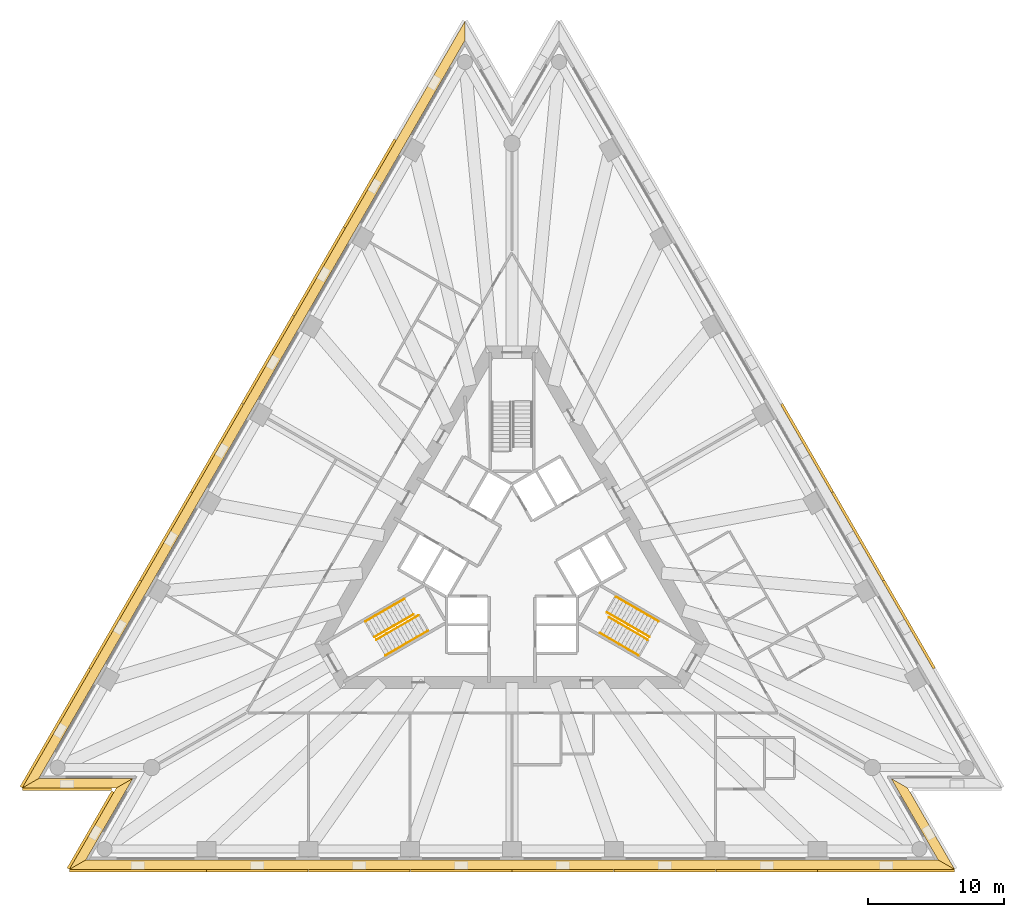
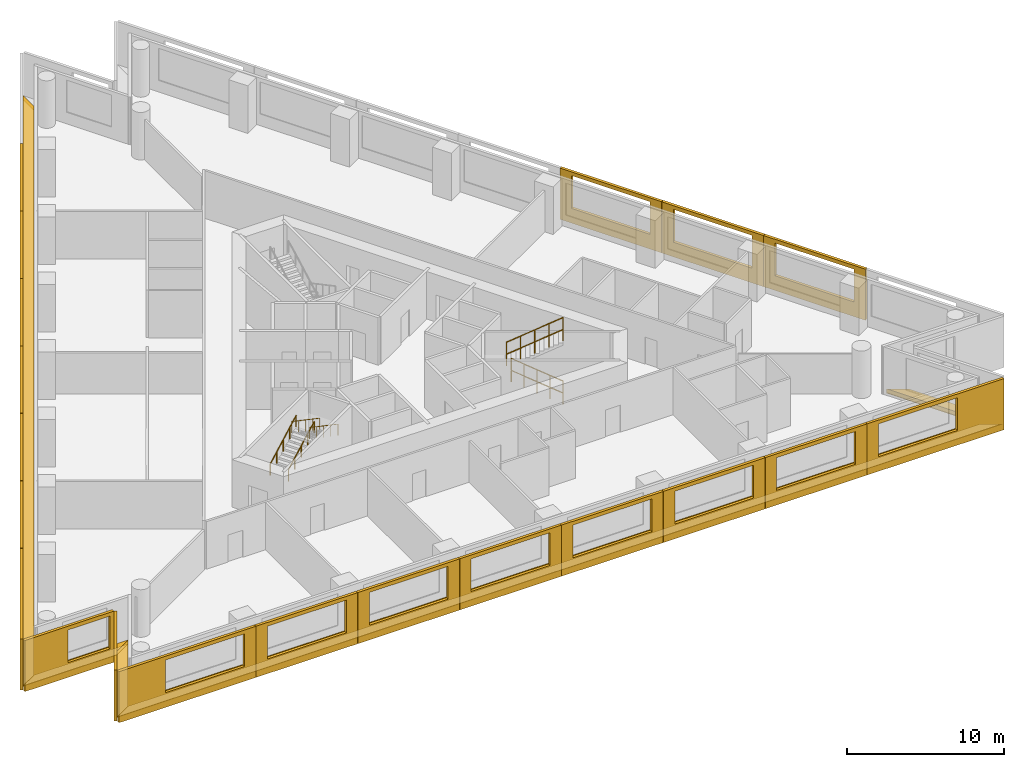
# One storey, part 8 of 9: 25 shading devices, 8 railings, 5 coverings, 2 elements without a shape of their own.
"""IFC4 building model written with IfcOpenShell, lengths in metres."""

from ifc_helpers import new_model, si_unit, direction, frame, origin, origin_2d, place, context, subcontext, project, spatial, polyline, circle, outline, extrude, material, layer, layer_set, layer_usage, type_object, element, aggregate, save


model = new_model("IFC4")

# Units and contexts
model_context = context("Model", 3, precision=1e-05, world=origin(), true_north=direction((0.0, 1.0)))
body_context = subcontext(model_context, "Body", "Model", "MODEL_VIEW")
ifc_project = project(units=[si_unit("LENGTHUNIT", "METRE"), si_unit("AREAUNIT", "SQUARE_METRE"), si_unit("VOLUMEUNIT", "CUBIC_METRE"), si_unit("PLANEANGLEUNIT", "RADIAN"), si_unit("MASSUNIT", "GRAM", prefix="KILO")], contexts=[model_context])

# Site, building, storey
site_placement = place(None, origin())
site = spatial("IfcSite", under=ifc_project, at=site_placement, CompositionType="ELEMENT")
building_placement = place(site_placement, origin())
building = spatial("IfcBuilding", under=site, at=building_placement, Name="Triada Interchange Tower", CompositionType="ELEMENT")
storey_placement = place(building_placement, frame((0.0, 0.0, 55.300048828125)))
storey = spatial("IfcBuildingStorey", under=building, at=storey_placement, Name="L11", CompositionType="ELEMENT", Elevation=55.300048828125)

# Coverings
ifc_material_1 = material(Name="Mineral fire-stop board")
ifc_layer_1 = layer(ifc_material_1, 0.0400390625, Name="Mineral fire-stop board")
ifc_material_2 = material(Name="Intumescent sealant")
ifc_layer_2 = layer(ifc_material_2, 0.010009765625, Name="Intumescent seal")
ifc_layer_set_1 = layer_set([ifc_layer_1, ifc_layer_2], Name="Cavity fire stop")
ifc_layer_usage = layer_usage(ifc_layer_set_1, "AXIS3", "POSITIVE", 0.0)
covering_type = type_object("IfcCoveringType", Name="Cavity fire stop", PredefinedType="INSULATION", material=ifc_layer_set_1)
covering_1_placement = place(storey_placement, origin())
element("IfcCovering", 1, at=covering_1_placement, inside=storey, type_object=covering_type, material=ifc_layer_usage, Name="Cavity fire stop L11 NW", PredefinedType="INSULATION", context=body_context, shape_type="SweptSolid", body=[
    extrude(outline(polyline([(-3.4619140625, 38.218017578125), (-3.4619140625, 39.617919921875), (-36.041015625, -16.81103515625), (-34.8291015625, -16.111083984375), (-3.4619140625, 38.218017578125)])), origin(), (0.0, 0.0, 1.0), 0.050048828125),
])
covering_2_placement = place(storey_placement, origin())
element("IfcCovering", 2, at=covering_2_placement, inside=storey, type_object=covering_type, material=ifc_layer_usage, Name="Cavity fire stop L11 SW-1", PredefinedType="INSULATION", context=body_context, shape_type="SweptSolid", body=[
    extrude(outline(polyline([(-34.8291015625, -16.111083984375), (-36.041015625, -16.81103515625), (-29.116943359375, -16.81103515625), (-27.905029296875, -16.111083984375), (-34.8291015625, -16.111083984375)])), origin(), (0.0, 0.0, 1.0), 0.050048828125),
])
covering_3_placement = place(storey_placement, origin())
element("IfcCovering", 3, at=covering_3_placement, inside=storey, type_object=covering_type, material=ifc_layer_usage, Name="Cavity fire stop L11 SW-2", PredefinedType="INSULATION", context=body_context, shape_type="SweptSolid", body=[
    extrude(outline(polyline([(-27.905029296875, -16.111083984375), (-29.116943359375, -16.81103515625), (-32.5791015625, -22.806884765625), (-31.366943359375, -22.10693359375), (-27.905029296875, -16.111083984375)])), origin(), (0.0, 0.0, 1.0), 0.050048828125),
])
covering_4_placement = place(storey_placement, origin())
element("IfcCovering", 4, at=covering_4_placement, inside=storey, type_object=covering_type, material=ifc_layer_usage, Name="Cavity fire stop L11 S", PredefinedType="INSULATION", context=body_context, shape_type="SweptSolid", body=[
    extrude(outline(polyline([(-31.366943359375, -22.10693359375), (-32.5791015625, -22.806884765625), (32.5791015625, -22.806884765625), (31.366943359375, -22.10693359375), (-31.366943359375, -22.10693359375)])), origin(), (0.0, 0.0, 1.0), 0.050048828125),
])
covering_5_placement = place(storey_placement, origin())
element("IfcCovering", 5, at=covering_5_placement, inside=storey, type_object=covering_type, material=ifc_layer_usage, Name="Cavity fire stop L11 SE-1", PredefinedType="INSULATION", context=body_context, shape_type="SweptSolid", body=[
    extrude(outline(polyline([(31.366943359375, -22.10693359375), (32.5791015625, -22.806884765625), (29.116943359375, -16.81103515625), (27.905029296875, -16.111083984375), (31.366943359375, -22.10693359375)])), origin(), (0.0, 0.0, 1.0), 0.050048828125),
])

# Shading devices
ifc_material_3 = material(Name="Aluminium louvre", Category="aluminium")
shading_device_type_1 = type_object("IfcShadingDeviceType", Name="Cavity louvre grille", PredefinedType="JALOUSIE", material=ifc_material_3)
shading_device_1_placement = place(storey_placement, frame((0.0, 0.0, 0.050048828125)))
element("IfcShadingDevice", 6, at=shading_device_1_placement, inside=storey, type_object=shading_device_type_1, Name="Cavity louvre grille L11 NW", PredefinedType="JALOUSIE", context=body_context, shape_type="SweptSolid", body=[
    extrude(outline(polyline([(-3.4619140625, 38.218017578125), (-3.4619140625, 39.617919921875), (-36.041015625, -16.81103515625), (-34.8291015625, -16.111083984375), (-3.4619140625, 38.218017578125)])), origin(), (0.0, 0.0, 1.0), 0.2998046875),
])
shading_device_2_placement = place(storey_placement, frame((0.0, 0.0, 0.050048828125)))
element("IfcShadingDevice", 7, at=shading_device_2_placement, inside=storey, type_object=shading_device_type_1, Name="Cavity louvre grille L11 SW-1", PredefinedType="JALOUSIE", context=body_context, shape_type="SweptSolid", body=[
    extrude(outline(polyline([(-34.8291015625, -16.111083984375), (-36.041015625, -16.81103515625), (-29.116943359375, -16.81103515625), (-27.905029296875, -16.111083984375), (-34.8291015625, -16.111083984375)])), origin(), (0.0, 0.0, 1.0), 0.2998046875),
])
shading_device_3_placement = place(storey_placement, frame((0.0, 0.0, 0.050048828125)))
element("IfcShadingDevice", 8, at=shading_device_3_placement, inside=storey, type_object=shading_device_type_1, Name="Cavity louvre grille L11 SW-2", PredefinedType="JALOUSIE", context=body_context, shape_type="SweptSolid", body=[
    extrude(outline(polyline([(-27.905029296875, -16.111083984375), (-29.116943359375, -16.81103515625), (-32.5791015625, -22.806884765625), (-31.366943359375, -22.10693359375), (-27.905029296875, -16.111083984375)])), origin(), (0.0, 0.0, 1.0), 0.2998046875),
])
shading_device_4_placement = place(storey_placement, frame((0.0, 0.0, 0.050048828125)))
element("IfcShadingDevice", 9, at=shading_device_4_placement, inside=storey, type_object=shading_device_type_1, Name="Cavity louvre grille L11 S", PredefinedType="JALOUSIE", context=body_context, shape_type="SweptSolid", body=[
    extrude(outline(polyline([(-31.366943359375, -22.10693359375), (-32.5791015625, -22.806884765625), (32.5791015625, -22.806884765625), (31.366943359375, -22.10693359375), (-31.366943359375, -22.10693359375)])), origin(), (0.0, 0.0, 1.0), 0.2998046875),
])
shading_device_5_placement = place(storey_placement, frame((0.0, 0.0, 0.050048828125)))
element("IfcShadingDevice", 10, at=shading_device_5_placement, inside=storey, type_object=shading_device_type_1, Name="Cavity louvre grille L11 SE-1", PredefinedType="JALOUSIE", context=body_context, shape_type="SweptSolid", body=[
    extrude(outline(polyline([(31.366943359375, -22.10693359375), (32.5791015625, -22.806884765625), (29.116943359375, -16.81103515625), (27.905029296875, -16.111083984375), (31.366943359375, -22.10693359375)])), origin(), (0.0, 0.0, 1.0), 0.2998046875),
])
ifc_material_4 = material(Name="Concrete C50/60 precast", Category="concrete")
ifc_layer_3 = layer(ifc_material_4, 0.02001953125, Name="Exposed aggregate face")
ifc_layer_4 = layer(ifc_material_4, 0.179931640625, Name="Precast concrete screen")
ifc_layer_set_2 = layer_set([ifc_layer_3, ifc_layer_4], Name="Outer skin screen panel 3980")
shading_device_type_2 = type_object("IfcShadingDeviceType", Name="Outer skin screen panel 3980", PredefinedType="SHUTTER", material=ifc_layer_set_2)
shading_device_6_placement = place(storey_placement, frame((-8.513916015625, 30.867919921875, -0.2900390625), z_axis=(0.0, 0.0, 1.0), x_axis=(-0.499936381736, -0.866062130691, 0.0)))
element("IfcShadingDevice", 11, at=shading_device_6_placement, inside=storey, type_object=shading_device_type_2, Name="Outer skin screen panel L11 02", PredefinedType="SHUTTER", context=body_context, shape_type="SweptSolid", body=[
    extrude(outline(polyline([(0.0, 0.0), (7.47509765625, 0.0), (7.47509765625, 3.97998046875), (0.0, 3.97998046875), (0.0, 0.0)]), holes=[polyline([(0.837158203125, 1.139892578125), (0.837158203125, 3.68994140625), (6.63720703125, 3.68994140625), (6.63720703125, 1.139892578125), (0.837158203125, 1.139892578125)])]), frame((0.0, 0.0, 0.0), z_axis=(0.0, -1.0, 0.0), x_axis=(1.0, 0.0, 0.0)), (0.0, 0.0, 1.0), 0.199951171875),
])
shading_device_7_placement = place(storey_placement, frame((-12.260986328125, 24.376953125, -0.2900390625), z_axis=(0.0, 0.0, 1.0), x_axis=(-0.50003436236, -0.866005563758, 0.0)))
element("IfcShadingDevice", 12, at=shading_device_7_placement, inside=storey, type_object=shading_device_type_2, Name="Outer skin screen panel L11 03", PredefinedType="SHUTTER", context=body_context, shape_type="SweptSolid", body=[
    extrude(outline(polyline([(0.0, 0.0), (7.4755859375, 0.0), (7.4755859375, 3.97998046875), (0.0, 3.97998046875), (0.0, 0.0)]), holes=[polyline([(0.837890625, 1.139892578125), (0.837890625, 3.68994140625), (6.637939453125, 3.68994140625), (6.637939453125, 1.139892578125), (0.837890625, 1.139892578125)])]), frame((0.0, 0.0, 0.0), z_axis=(0.0, -1.0, 0.0), x_axis=(1.0, 0.0, 0.0)), (0.0, 0.0, 1.0), 0.199951171875),
])
shading_device_8_placement = place(storey_placement, frame((-16.009033203125, 17.885986328125, -0.2900390625), z_axis=(0.0, 0.0, 1.0), x_axis=(-0.50003436236, -0.866005563758, 0.0)))
element("IfcShadingDevice", 13, at=shading_device_8_placement, inside=storey, type_object=shading_device_type_2, Name="Outer skin screen panel L11 04", PredefinedType="SHUTTER", context=body_context, shape_type="SweptSolid", body=[
    extrude(outline(polyline([(0.0, 0.0), (7.4755859375, 0.0), (7.4755859375, 3.97998046875), (0.0, 3.97998046875), (0.0, 0.0)]), holes=[polyline([(0.837646484375, 1.139892578125), (0.837646484375, 3.68994140625), (6.6376953125, 3.68994140625), (6.6376953125, 1.139892578125), (0.837646484375, 1.139892578125)])]), frame((0.0, 0.0, 0.0), z_axis=(0.0, -1.0, 0.0), x_axis=(1.0, 0.0, 0.0)), (0.0, 0.0, 1.0), 0.199951171875),
])
shading_device_9_placement = place(storey_placement, frame((-19.757080078125, 11.39501953125, -0.2900390625), z_axis=(0.0, 0.0, 1.0), x_axis=(-0.499897742873, -0.866084433915, 0.0)))
element("IfcShadingDevice", 14, at=shading_device_9_placement, inside=storey, type_object=shading_device_type_2, Name="Outer skin screen panel L11 05", PredefinedType="SHUTTER", context=body_context, shape_type="SweptSolid", body=[
    extrude(outline(polyline([(0.0, 0.0), (7.47509765625, 0.0), (7.47509765625, 3.97998046875), (0.0, 3.97998046875), (0.0, 0.0)]), holes=[polyline([(0.83740234375, 1.139892578125), (0.83740234375, 3.68994140625), (6.63720703125, 3.68994140625), (6.63720703125, 1.139892578125), (0.83740234375, 1.139892578125)])]), frame((0.0, 0.0, 0.0), z_axis=(0.0, -1.0, 0.0), x_axis=(1.0, 0.0, 0.0)), (0.0, 0.0, 1.0), 0.199951171875),
])
shading_device_10_placement = place(storey_placement, frame((-23.50390625, 4.904052734375, -0.2900390625), z_axis=(0.0, 0.0, 1.0), x_axis=(-0.500020220498, -0.86601372916, 0.0)))
element("IfcShadingDevice", 15, at=shading_device_10_placement, inside=storey, type_object=shading_device_type_2, Name="Outer skin screen panel L11 06", PredefinedType="SHUTTER", context=body_context, shape_type="SweptSolid", body=[
    extrude(outline(polyline([(0.0, 0.0), (7.475830078125, 0.0), (7.475830078125, 3.97998046875), (0.0, 3.97998046875), (0.0, 0.0)]), holes=[polyline([(0.838134765625, 1.139892578125), (0.838134765625, 3.68994140625), (6.63818359375, 3.68994140625), (6.63818359375, 1.139892578125), (0.838134765625, 1.139892578125)])]), frame((0.0, 0.0, 0.0), z_axis=(0.0, -1.0, 0.0), x_axis=(1.0, 0.0, 0.0)), (0.0, 0.0, 1.0), 0.199951171875),
])
shading_device_11_placement = place(storey_placement, frame((-27.251953125, -1.5869140625, -0.2900390625), z_axis=(0.0, 0.0, 1.0), x_axis=(-0.500020220498, -0.86601372916, 0.0)))
element("IfcShadingDevice", 16, at=shading_device_11_placement, inside=storey, type_object=shading_device_type_2, Name="Outer skin screen panel L11 07", PredefinedType="SHUTTER", context=body_context, shape_type="SweptSolid", body=[
    extrude(outline(polyline([(0.0, 0.0), (7.475830078125, 0.0), (7.475830078125, 3.97998046875), (0.0, 3.97998046875), (0.0, 0.0)]), holes=[polyline([(0.837890625, 1.139892578125), (0.837890625, 3.68994140625), (6.6376953125, 3.68994140625), (6.6376953125, 1.139892578125), (0.837890625, 1.139892578125)])]), frame((0.0, 0.0, 0.0), z_axis=(0.0, -1.0, 0.0), x_axis=(1.0, 0.0, 0.0)), (0.0, 0.0, 1.0), 0.199951171875),
])
shading_device_12_placement = place(storey_placement, frame((-31.0, -8.077880859375, -0.2900390625), z_axis=(0.0, 0.0, 1.0), x_axis=(-0.499926661183, -0.86606774183, 0.0)))
element("IfcShadingDevice", 17, at=shading_device_12_placement, inside=storey, type_object=shading_device_type_2, Name="Outer skin screen panel L11 08", PredefinedType="SHUTTER", context=body_context, shape_type="SweptSolid", body=[
    extrude(outline(polyline([(0.0, 0.0), (10.0732421875, 0.0), (10.0732421875, 3.97998046875), (0.0, 3.97998046875), (0.0, 0.0)]), holes=[polyline([(0.83740234375, 1.139892578125), (0.83740234375, 3.68994140625), (6.637451171875, 3.68994140625), (6.637451171875, 1.139892578125), (0.83740234375, 1.139892578125)])]), frame((0.0, 0.0, 0.0), z_axis=(0.0, -1.0, 0.0), x_axis=(1.0, 0.0, 0.0)), (0.0, 0.0, 1.0), 0.199951171875),
])
shading_device_13_placement = place(storey_placement, frame((-36.031005859375, -16.81103515625, -0.2900390625), z_axis=(0.0, 0.0, 1.0), x_axis=(1.0, 0.0, 0.0)))
element("IfcShadingDevice", 18, at=shading_device_13_placement, inside=storey, type_object=shading_device_type_2, Name="Outer skin screen panel L11 09", PredefinedType="SHUTTER", context=body_context, shape_type="SweptSolid", body=[
    extrude(outline(polyline([(0.0, 0.0), (6.556884765625, 0.0), (6.556884765625, 3.97998046875), (0.0, 3.97998046875), (0.0, 0.0)]), holes=[polyline([(3.175048828125, 1.139892578125), (3.175048828125, 3.68994140625), (6.257080078125, 3.68994140625), (6.257080078125, 1.139892578125), (3.175048828125, 1.139892578125)])]), frame((0.0, 0.0, 0.0), z_axis=(0.0, -1.0, 0.0), x_axis=(1.0, 0.0, 0.0)), (0.0, 0.0, 1.0), 0.199951171875),
])
shading_device_14_placement = place(storey_placement, frame((-29.2958984375, -17.1201171875, -0.2900390625), z_axis=(0.0, 0.0, 1.0), x_axis=(-0.499987845338, -0.866032421168, 0.0)))
element("IfcShadingDevice", 19, at=shading_device_14_placement, inside=storey, type_object=shading_device_type_2, Name="Outer skin screen panel L11 10", PredefinedType="SHUTTER", context=body_context, shape_type="SweptSolid", body=[
    extrude(outline(polyline([(0.0, 0.0), (6.556396484375, 0.0), (6.556396484375, 3.97998046875), (0.0, 3.97998046875), (0.0, 0.0)]), holes=[polyline([(0.300048828125, 1.139892578125), (0.300048828125, 3.68994140625), (2.9580078125, 3.68994140625), (2.9580078125, 1.139892578125), (0.300048828125, 1.139892578125)])]), frame((0.0, 0.0, 0.0), z_axis=(0.0, -1.0, 0.0), x_axis=(1.0, 0.0, 0.0)), (0.0, 0.0, 1.0), 0.199951171875),
])
shading_device_15_placement = place(storey_placement, frame((-32.569091796875, -22.806884765625, -0.2900390625), z_axis=(0.0, 0.0, 1.0), x_axis=(1.0, 0.0, 0.0)))
element("IfcShadingDevice", 20, at=shading_device_15_placement, inside=storey, type_object=shading_device_type_2, Name="Outer skin screen panel L11 11", PredefinedType="SHUTTER", context=body_context, shape_type="SweptSolid", body=[
    extrude(outline(polyline([(0.0, 0.0), (10.072998046875, 0.0), (10.072998046875, 3.97998046875), (0.0, 3.97998046875), (0.0, 0.0)]), holes=[polyline([(3.43603515625, 1.139892578125), (3.43603515625, 3.68994140625), (9.236083984375, 3.68994140625), (9.236083984375, 1.139892578125), (3.43603515625, 1.139892578125)])]), frame((0.0, 0.0, 0.0), z_axis=(0.0, -1.0, 0.0), x_axis=(1.0, 0.0, 0.0)), (0.0, 0.0, 1.0), 0.199951171875),
])
shading_device_16_placement = place(storey_placement, frame((-22.47607421875, -22.806884765625, -0.2900390625), z_axis=(0.0, 0.0, 1.0), x_axis=(1.0, 0.0, 0.0)))
element("IfcShadingDevice", 21, at=shading_device_16_placement, inside=storey, type_object=shading_device_type_2, Name="Outer skin screen panel L11 12", PredefinedType="SHUTTER", context=body_context, shape_type="SweptSolid", body=[
    extrude(outline(polyline([(0.0, 0.0), (7.47509765625, 0.0), (7.47509765625, 3.97998046875), (0.0, 3.97998046875), (0.0, 0.0)]), holes=[polyline([(0.837890625, 1.139892578125), (0.837890625, 3.68994140625), (6.6376953125, 3.68994140625), (6.6376953125, 1.139892578125), (0.837890625, 1.139892578125)])]), frame((0.0, 0.0, 0.0), z_axis=(0.0, -1.0, 0.0), x_axis=(1.0, 0.0, 0.0)), (0.0, 0.0, 1.0), 0.199951171875),
])
shading_device_17_placement = place(storey_placement, frame((-14.97998046875, -22.806884765625, -0.2900390625), z_axis=(0.0, 0.0, 1.0), x_axis=(1.0, 0.0, 0.0)))
element("IfcShadingDevice", 22, at=shading_device_17_placement, inside=storey, type_object=shading_device_type_2, Name="Outer skin screen panel L11 13", PredefinedType="SHUTTER", context=body_context, shape_type="SweptSolid", body=[
    extrude(outline(polyline([(0.0, 0.0), (7.47509765625, 0.0), (7.47509765625, 3.97998046875), (0.0, 3.97998046875), (0.0, 0.0)]), holes=[polyline([(0.83740234375, 1.139892578125), (0.83740234375, 3.68994140625), (6.637451171875, 3.68994140625), (6.637451171875, 1.139892578125), (0.83740234375, 1.139892578125)])]), frame((0.0, 0.0, 0.0), z_axis=(0.0, -1.0, 0.0), x_axis=(1.0, 0.0, 0.0)), (0.0, 0.0, 1.0), 0.199951171875),
])
shading_device_18_placement = place(storey_placement, frame((-7.485107421875, -22.806884765625, -0.2900390625), z_axis=(0.0, 0.0, 1.0), x_axis=(1.0, 0.0, 0.0)))
element("IfcShadingDevice", 23, at=shading_device_18_placement, inside=storey, type_object=shading_device_type_2, Name="Outer skin screen panel L11 14", PredefinedType="SHUTTER", context=body_context, shape_type="SweptSolid", body=[
    extrude(outline(polyline([(0.0, 0.0), (7.47509765625, 0.0), (7.47509765625, 3.97998046875), (0.0, 3.97998046875), (0.0, 0.0)]), holes=[polyline([(0.837158203125, 1.139892578125), (0.837158203125, 3.68994140625), (6.63720703125, 3.68994140625), (6.63720703125, 1.139892578125), (0.837158203125, 1.139892578125)])]), frame((0.0, 0.0, 0.0), z_axis=(0.0, -1.0, 0.0), x_axis=(1.0, 0.0, 0.0)), (0.0, 0.0, 1.0), 0.199951171875),
])
shading_device_19_placement = place(storey_placement, frame((0.010009765625, -22.806884765625, -0.2900390625), z_axis=(0.0, 0.0, 1.0), x_axis=(1.0, 0.0, 0.0)))
element("IfcShadingDevice", 24, at=shading_device_19_placement, inside=storey, type_object=shading_device_type_2, Name="Outer skin screen panel L11 15", PredefinedType="SHUTTER", context=body_context, shape_type="SweptSolid", body=[
    extrude(outline(polyline([(0.0, 0.0), (7.47509765625, 0.0), (7.47509765625, 3.97998046875), (0.0, 3.97998046875), (0.0, 0.0)]), holes=[polyline([(0.837890625, 1.139892578125), (0.837890625, 3.68994140625), (6.637939453125, 3.68994140625), (6.637939453125, 1.139892578125), (0.837890625, 1.139892578125)])]), frame((0.0, 0.0, 0.0), z_axis=(0.0, -1.0, 0.0), x_axis=(1.0, 0.0, 0.0)), (0.0, 0.0, 1.0), 0.199951171875),
])
shading_device_20_placement = place(storey_placement, frame((7.5048828125, -22.806884765625, -0.2900390625), z_axis=(0.0, 0.0, 1.0), x_axis=(1.0, 0.0, 0.0)))
element("IfcShadingDevice", 25, at=shading_device_20_placement, inside=storey, type_object=shading_device_type_2, Name="Outer skin screen panel L11 16", PredefinedType="SHUTTER", context=body_context, shape_type="SweptSolid", body=[
    extrude(outline(polyline([(0.0, 0.0), (7.47607421875, 0.0), (7.47607421875, 3.97998046875), (0.0, 3.97998046875), (0.0, 0.0)]), holes=[polyline([(0.837646484375, 1.139892578125), (0.837646484375, 3.68994140625), (6.6376953125, 3.68994140625), (6.6376953125, 1.139892578125), (0.837646484375, 1.139892578125)])]), frame((0.0, 0.0, 0.0), z_axis=(0.0, -1.0, 0.0), x_axis=(1.0, 0.0, 0.0)), (0.0, 0.0, 1.0), 0.199951171875),
])
shading_device_21_placement = place(storey_placement, frame((15.0009765625, -22.806884765625, -0.2900390625), z_axis=(0.0, 0.0, 1.0), x_axis=(1.0, 0.0, 0.0)))
element("IfcShadingDevice", 26, at=shading_device_21_placement, inside=storey, type_object=shading_device_type_2, Name="Outer skin screen panel L11 17", PredefinedType="SHUTTER", context=body_context, shape_type="SweptSolid", body=[
    extrude(outline(polyline([(0.0, 0.0), (7.47509765625, 0.0), (7.47509765625, 3.97998046875), (0.0, 3.97998046875), (0.0, 0.0)]), holes=[polyline([(0.83740234375, 1.139892578125), (0.83740234375, 3.68994140625), (6.637451171875, 3.68994140625), (6.637451171875, 1.139892578125), (0.83740234375, 1.139892578125)])]), frame((0.0, 0.0, 0.0), z_axis=(0.0, -1.0, 0.0), x_axis=(1.0, 0.0, 0.0)), (0.0, 0.0, 1.0), 0.199951171875),
])
shading_device_22_placement = place(storey_placement, frame((22.49609375, -22.806884765625, -0.2900390625), z_axis=(0.0, 0.0, 1.0), x_axis=(1.0, 0.0, 0.0)))
element("IfcShadingDevice", 27, at=shading_device_22_placement, inside=storey, type_object=shading_device_type_2, Name="Outer skin screen panel L11 18", PredefinedType="SHUTTER", context=body_context, shape_type="SweptSolid", body=[
    extrude(outline(polyline([(0.0, 0.0), (10.072998046875, 0.0), (10.072998046875, 3.97998046875), (0.0, 3.97998046875), (0.0, 0.0)]), holes=[polyline([(0.837158203125, 1.139892578125), (0.837158203125, 3.68994140625), (6.63720703125, 3.68994140625), (6.63720703125, 1.139892578125), (0.837158203125, 1.139892578125)])]), frame((0.0, 0.0, 0.0), z_axis=(0.0, -1.0, 0.0), x_axis=(1.0, 0.0, 0.0)), (0.0, 0.0, 1.0), 0.199951171875),
])
shading_device_23_placement = place(storey_placement, frame((30.989990234375, -8.06103515625, -0.2900390625), z_axis=(0.0, 0.0, 1.0), x_axis=(-0.500020220498, 0.86601372916, 0.0)))
element("IfcShadingDevice", 28, at=shading_device_23_placement, inside=storey, type_object=shading_device_type_2, Name="Outer skin screen panel L11 22", PredefinedType="SHUTTER", context=body_context, shape_type="SweptSolid", body=[
    extrude(outline(polyline([(0.0, 0.0), (7.475830078125, 0.0), (7.475830078125, 3.97998046875), (0.0, 3.97998046875), (0.0, 0.0)]), holes=[polyline([(0.837890625, 1.139892578125), (0.837890625, 3.68994140625), (6.637939453125, 3.68994140625), (6.637939453125, 1.139892578125), (0.837890625, 1.139892578125)])]), frame((0.0, 0.0, 0.0), z_axis=(0.0, -1.0, 0.0), x_axis=(1.0, 0.0, 0.0)), (0.0, 0.0, 1.0), 0.199951171875),
])
shading_device_24_placement = place(storey_placement, frame((27.241943359375, -1.570068359375, -0.2900390625), z_axis=(0.0, 0.0, 1.0), x_axis=(-0.500020220498, 0.86601372916, 0.0)))
element("IfcShadingDevice", 29, at=shading_device_24_placement, inside=storey, type_object=shading_device_type_2, Name="Outer skin screen panel L11 23", PredefinedType="SHUTTER", context=body_context, shape_type="SweptSolid", body=[
    extrude(outline(polyline([(0.0, 0.0), (7.475830078125, 0.0), (7.475830078125, 3.97998046875), (0.0, 3.97998046875), (0.0, 0.0)]), holes=[polyline([(0.837646484375, 1.139892578125), (0.837646484375, 3.68994140625), (6.6376953125, 3.68994140625), (6.6376953125, 1.139892578125), (0.837646484375, 1.139892578125)])]), frame((0.0, 0.0, 0.0), z_axis=(0.0, -1.0, 0.0), x_axis=(1.0, 0.0, 0.0)), (0.0, 0.0, 1.0), 0.199951171875),
])
shading_device_25_placement = place(storey_placement, frame((23.493896484375, 4.9208984375, -0.2900390625), z_axis=(0.0, 0.0, 1.0), x_axis=(-0.499897742873, 0.866084433915, 0.0)))
element("IfcShadingDevice", 30, at=shading_device_25_placement, inside=storey, type_object=shading_device_type_2, Name="Outer skin screen panel L11 24", PredefinedType="SHUTTER", context=body_context, shape_type="SweptSolid", body=[
    extrude(outline(polyline([(0.0, 0.0), (7.47509765625, 0.0), (7.47509765625, 3.97998046875), (0.0, 3.97998046875), (0.0, 0.0)]), holes=[polyline([(0.83740234375, 1.139892578125), (0.83740234375, 3.68994140625), (6.637451171875, 3.68994140625), (6.637451171875, 1.139892578125), (0.83740234375, 1.139892578125)])]), frame((0.0, 0.0, 0.0), z_axis=(0.0, -1.0, 0.0), x_axis=(1.0, 0.0, 0.0)), (0.0, 0.0, 1.0), 0.199951171875),
])

# Stair, railings
ifc_material_5 = material(Name="Concrete C35/45", Category="concrete")
stair_type = type_object("IfcStairType", Name="HALF TURN STAIR 1400", PredefinedType="HALF_TURN_STAIR", material=ifc_material_5)
stair_1_placement = place(storey_placement, origin())
stair_1 = element("IfcStair", 31, at=stair_1_placement, inside=storey, type_object=stair_type, Name="Exit stair S09-2", PredefinedType="HALF_TURN_STAIR")
ifc_material_6 = material(Name="Stainless steel 1.4301", Category="steel")
railing_type = type_object("IfcRailingType", Name="STAIR HANDRAIL 900", PredefinedType="HANDRAIL", material=ifc_material_6)
railing_1_placement = place(storey_placement, frame((-10.77099609375, -4.5439453125, 0.159912109375)))
railing_1 = element("IfcRailing", 32, at=railing_1_placement, type_object=railing_type, Name="Handrail S09-2 1W", PredefinedType="HANDRAIL", context=body_context, shape_type="SweptSolid", body=[
    extrude(circle(Radius=0.02392578125, at=origin_2d()), frame((0.0, 0.0, 0.8759765625), z_axis=(0.764150854273, 0.441152526326, 0.470593158077), x_axis=(-0.499974350878, 0.866040211805, 0.0)), (0.0, 0.0, 1.0), 3.739990234375),
    extrude(circle(Radius=0.02099609375, at=origin_2d()), origin(), (0.0, 0.0, 1.0), 0.851806640625),
    extrude(circle(Radius=0.02099609375, at=origin_2d()), frame((0.71435546875, 0.41259765625, 0.43994140625)), (0.0, 0.0, 1.0), 0.851806640625),
    extrude(circle(Radius=0.02099609375, at=origin_2d()), frame((1.428955078125, 0.824951171875, 0.8798828125)), (0.0, 0.0, 1.0), 0.851806640625),
    extrude(circle(Radius=0.02099609375, at=origin_2d()), frame((2.1435546875, 1.2373046875, 1.320068359375)), (0.0, 0.0, 1.0), 0.851806640625),
    extrude(circle(Radius=0.02099609375, at=origin_2d()), frame((2.85791015625, 1.64990234375, 1.760009765625)), (0.0, 0.0, 1.0), 0.851806640625),
])
railing_2_placement = place(storey_placement, frame((-10.10595703125, -5.696044921875, 0.159912109375)))
railing_2 = element("IfcRailing", 33, at=railing_2_placement, type_object=railing_type, Name="Handrail S09-2 1C", PredefinedType="HANDRAIL", context=body_context, shape_type="SweptSolid", body=[
    extrude(circle(Radius=0.02392578125, at=origin_2d()), frame((0.0, 0.0, 0.8759765625), z_axis=(0.76412884773, 0.441205098395, 0.470579605611), x_axis=(-0.50002983664, 0.866008176907, 0.0)), (0.0, 0.0, 1.0), 3.739990234375),
    extrude(circle(Radius=0.02099609375, at=origin_2d()), origin(), (0.0, 0.0, 1.0), 0.851806640625),
    extrude(circle(Radius=0.02099609375, at=origin_2d()), frame((0.71435546875, 0.41259765625, 0.43994140625)), (0.0, 0.0, 1.0), 0.851806640625),
    extrude(circle(Radius=0.02099609375, at=origin_2d()), frame((1.428955078125, 0.8251953125, 0.8798828125)), (0.0, 0.0, 1.0), 0.851806640625),
    extrude(circle(Radius=0.02099609375, at=origin_2d()), frame((2.1435546875, 1.237548828125, 1.320068359375)), (0.0, 0.0, 1.0), 0.851806640625),
    extrude(circle(Radius=0.02099609375, at=origin_2d()), frame((2.85791015625, 1.650146484375, 1.760009765625)), (0.0, 0.0, 1.0), 0.851806640625),
])
railing_3_placement = place(storey_placement, frame((-6.202880859375, -5.256103515625, 2.079833984375)))
railing_3 = element("IfcRailing", 34, at=railing_3_placement, type_object=railing_type, Name="Handrail S09-2 2W", PredefinedType="HANDRAIL", context=body_context, shape_type="SweptSolid", body=[
    extrude(circle(Radius=0.02392578125, at=origin_2d()), frame((0.0, 0.0, 0.8759765625), z_axis=(-0.764189758314, -0.441090424232, 0.470588196769), x_axis=(0.499902469156, -0.866081705922, 0.0)), (0.0, 0.0, 1.0), 4.080322265625),
    extrude(circle(Radius=0.02099609375, at=origin_2d()), origin(), (0.0, 0.0, 1.0), 0.851806640625),
    extrude(circle(Radius=0.02099609375, at=origin_2d()), frame((-0.779541015625, -0.449951171875, 0.47998046875)), (0.0, 0.0, 1.0), 0.851806640625),
    extrude(circle(Radius=0.02099609375, at=origin_2d()), frame((-1.55908203125, -0.89990234375, 0.9599609375)), (0.0, 0.0, 1.0), 0.851806640625),
    extrude(circle(Radius=0.02099609375, at=origin_2d()), frame((-2.338623046875, -1.349853515625, 1.440185546875)), (0.0, 0.0, 1.0), 0.851806640625),
    extrude(circle(Radius=0.02099609375, at=origin_2d()), frame((-3.1181640625, -1.7998046875, 1.920166015625)), (0.0, 0.0, 1.0), 0.851806640625),
])
railing_4_placement = place(storey_placement, frame((-6.867919921875, -4.10400390625, 2.079833984375)))
railing_4 = element("IfcRailing", 35, at=railing_4_placement, type_object=railing_type, Name="Handrail S09-2 2C", PredefinedType="HANDRAIL", context=body_context, shape_type="SweptSolid", body=[
    extrude(circle(Radius=0.02392578125, at=origin_2d()), frame((0.0, 0.0, 0.8759765625), z_axis=(-0.764169589359, -0.441138614339, 0.470575776723), x_axis=(0.49995333141, -0.866052346231, 0.0)), (0.0, 0.0, 1.0), 4.08056640625),
    extrude(circle(Radius=0.02099609375, at=origin_2d()), origin(), (0.0, 0.0, 1.0), 0.851806640625),
    extrude(circle(Radius=0.02099609375, at=origin_2d()), frame((-0.779541015625, -0.449951171875, 0.47998046875)), (0.0, 0.0, 1.0), 0.851806640625),
    extrude(circle(Radius=0.02099609375, at=origin_2d()), frame((-1.55908203125, -0.89990234375, 0.9599609375)), (0.0, 0.0, 1.0), 0.851806640625),
    extrude(circle(Radius=0.02099609375, at=origin_2d()), frame((-2.338623046875, -1.35009765625, 1.440185546875)), (0.0, 0.0, 1.0), 0.851806640625),
    extrude(circle(Radius=0.02099609375, at=origin_2d()), frame((-3.1181640625, -1.800048828125, 1.920166015625)), (0.0, 0.0, 1.0), 0.851806640625),
])
aggregate(stair_1, [railing_1, railing_2, railing_3, railing_4])

stair_2_placement = place(storey_placement, origin())
stair_2 = element("IfcStair", 36, at=stair_2_placement, inside=storey, type_object=stair_type, Name="Exit stair S09-3", PredefinedType="HALF_TURN_STAIR")
railing_5_placement = place(storey_placement, frame((9.321044921875, -7.055908203125, 0.159912109375)))
railing_5 = element("IfcRailing", 37, at=railing_5_placement, type_object=railing_type, Name="Handrail S09-3 1W", PredefinedType="HANDRAIL", context=body_context, shape_type="SweptSolid", body=[
    extrude(circle(Radius=0.02392578125, at=origin_2d()), frame((0.0, 0.0, 0.8759765625), z_axis=(-0.764178012919, 0.441130521168, 0.470569684388), x_axis=(-0.499942318283, -0.866058703778, 0.0)), (0.0, 0.0, 1.0), 3.740234375),
    extrude(circle(Radius=0.02099609375, at=origin_2d()), origin(), (0.0, 0.0, 1.0), 0.851806640625),
    extrude(circle(Radius=0.02099609375, at=origin_2d()), frame((-0.714599609375, 0.41259765625, 0.43994140625)), (0.0, 0.0, 1.0), 0.851806640625),
    extrude(circle(Radius=0.02099609375, at=origin_2d()), frame((-1.42919921875, 0.824951171875, 0.8798828125)), (0.0, 0.0, 1.0), 0.851806640625),
    extrude(circle(Radius=0.02099609375, at=origin_2d()), frame((-2.1435546875, 1.2373046875, 1.320068359375)), (0.0, 0.0, 1.0), 0.851806640625),
    extrude(circle(Radius=0.02099609375, at=origin_2d()), frame((-2.858154296875, 1.64990234375, 1.760009765625)), (0.0, 0.0, 1.0), 0.851806640625),
])
railing_6_placement = place(storey_placement, frame((9.986083984375, -5.904052734375, 0.159912109375)))
railing_6 = element("IfcRailing", 38, at=railing_6_placement, type_object=railing_type, Name="Handrail S09-3 1C", PredefinedType="HANDRAIL", context=body_context, shape_type="SweptSolid", body=[
    extrude(circle(Radius=0.02392578125, at=origin_2d()), frame((0.0, 0.0, 0.8759765625), z_axis=(-0.764156007789, 0.441183091881, 0.47055613395), x_axis=(-0.49999780286, -0.8660266723, 0.0)), (0.0, 0.0, 1.0), 3.740234375),
    extrude(circle(Radius=0.02099609375, at=origin_2d()), origin(), (0.0, 0.0, 1.0), 0.851806640625),
    extrude(circle(Radius=0.02099609375, at=origin_2d()), frame((-0.714599609375, 0.41259765625, 0.43994140625)), (0.0, 0.0, 1.0), 0.851806640625),
    extrude(circle(Radius=0.02099609375, at=origin_2d()), frame((-1.42919921875, 0.8251953125, 0.8798828125)), (0.0, 0.0, 1.0), 0.851806640625),
    extrude(circle(Radius=0.02099609375, at=origin_2d()), frame((-2.1435546875, 1.237548828125, 1.320068359375)), (0.0, 0.0, 1.0), 0.851806640625),
    extrude(circle(Radius=0.02099609375, at=origin_2d()), frame((-2.858154296875, 1.650146484375, 1.760009765625)), (0.0, 0.0, 1.0), 0.851806640625),
])
railing_7_placement = place(storey_placement, frame((7.653076171875, -2.743896484375, 2.079833984375)))
railing_7 = element("IfcRailing", 39, at=railing_7_placement, type_object=railing_type, Name="Handrail S09-3 2W", PredefinedType="HANDRAIL", context=body_context, shape_type="SweptSolid", body=[
    extrude(circle(Radius=0.02392578125, at=origin_2d()), frame((0.0, 0.0, 0.8759765625), z_axis=(0.76414469501, -0.441158784458, 0.470597292793), x_axis=(0.499982693035, 0.866035395735, 0.0)), (0.0, 0.0, 1.0), 4.080322265625),
    extrude(circle(Radius=0.02099609375, at=origin_2d()), origin(), (0.0, 0.0, 1.0), 0.851806640625),
    extrude(circle(Radius=0.02099609375, at=origin_2d()), frame((0.779541015625, -0.449951171875, 0.47998046875)), (0.0, 0.0, 1.0), 0.851806640625),
    extrude(circle(Radius=0.02099609375, at=origin_2d()), frame((1.55908203125, -0.89990234375, 0.9599609375)), (0.0, 0.0, 1.0), 0.851806640625),
    extrude(circle(Radius=0.02099609375, at=origin_2d()), frame((2.33837890625, -1.35009765625, 1.440185546875)), (0.0, 0.0, 1.0), 0.851806640625),
    extrude(circle(Radius=0.02099609375, at=origin_2d()), frame((3.117919921875, -1.800048828125, 1.920166015625)), (0.0, 0.0, 1.0), 0.851806640625),
])
railing_8_placement = place(storey_placement, frame((6.988037109375, -3.89599609375, 2.079833984375)))
railing_8 = element("IfcRailing", 40, at=railing_8_placement, type_object=railing_type, Name="Handrail S09-3 2C", PredefinedType="HANDRAIL", context=body_context, shape_type="SweptSolid", body=[
    extrude(circle(Radius=0.02392578125, at=origin_2d()), frame((0.0, 0.0, 0.8759765625), z_axis=(0.76414469501, -0.441158784458, 0.470597292793), x_axis=(0.499982693035, 0.866035395735, 0.0)), (0.0, 0.0, 1.0), 4.080322265625),
    extrude(circle(Radius=0.02099609375, at=origin_2d()), origin(), (0.0, 0.0, 1.0), 0.851806640625),
    extrude(circle(Radius=0.02099609375, at=origin_2d()), frame((0.779541015625, -0.449951171875, 0.47998046875)), (0.0, 0.0, 1.0), 0.851806640625),
    extrude(circle(Radius=0.02099609375, at=origin_2d()), frame((1.55908203125, -0.89990234375, 0.9599609375)), (0.0, 0.0, 1.0), 0.851806640625),
    extrude(circle(Radius=0.02099609375, at=origin_2d()), frame((2.33837890625, -1.35009765625, 1.440185546875)), (0.0, 0.0, 1.0), 0.851806640625),
    extrude(circle(Radius=0.02099609375, at=origin_2d()), frame((3.117919921875, -1.800048828125, 1.920166015625)), (0.0, 0.0, 1.0), 0.851806640625),
])
aggregate(stair_2, [railing_5, railing_6, railing_7, railing_8])

save(model, "model.ifc")
